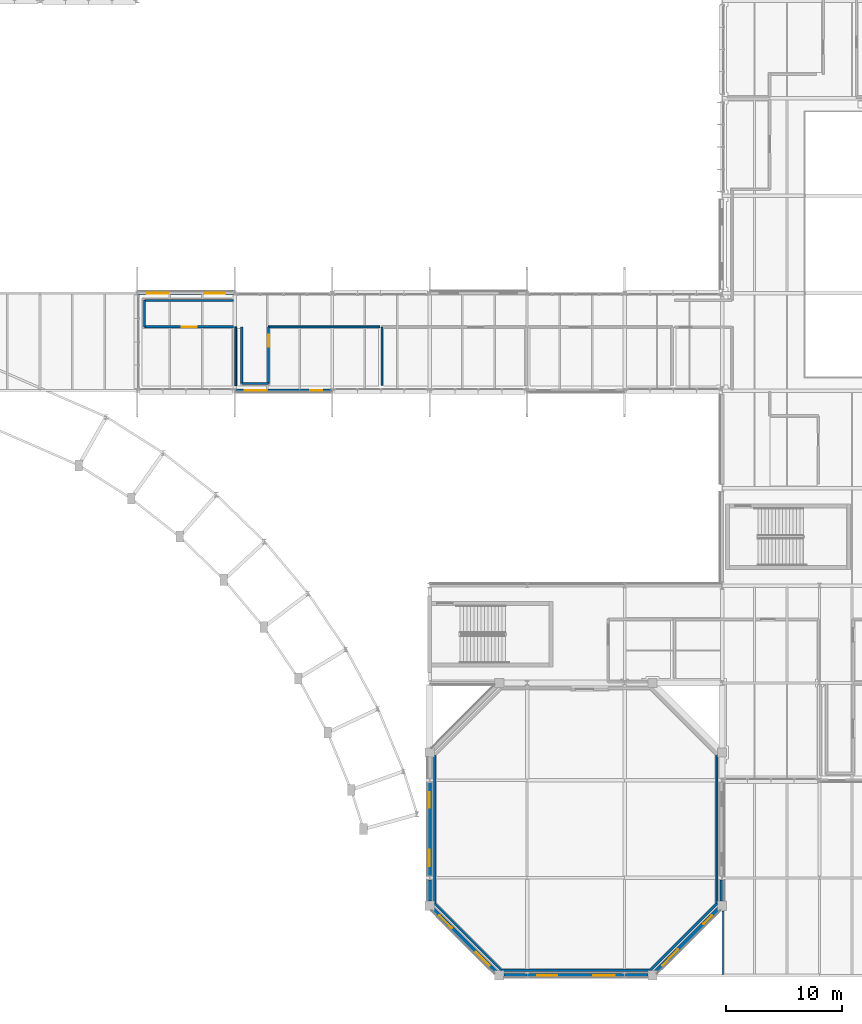
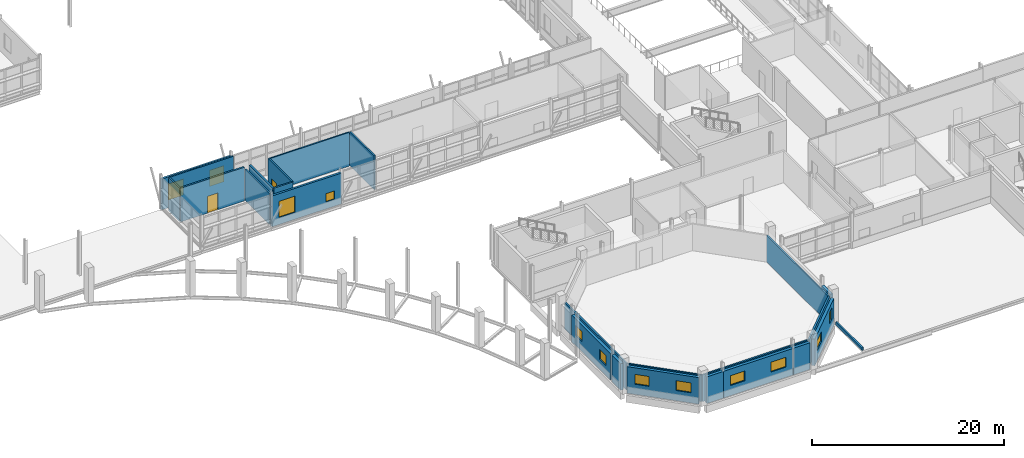
# One storey, part 93 of 129: 25 walls, 12 windows, 2 doors, 14 openings.
"""IFC4 building model written with IfcOpenShell, lengths in metres."""

import ifcopenshell
import ifcopenshell.guid

model = None  # the IFC model being written
_history = None  # IfcOwnerHistory: only IFC2X3 demands one
_inside = {}  # id of a spatial element -> (the spatial element, [elements in it])
_under = {}  # id of a project, library or spatial element -> (it, [spatial elements below it])
_declared = {}  # id of a project -> (the project, [libraries it declares])
_typed = {}  # id of a type object -> (the type object, [elements of that type])
_made_of = {}  # id of a material, layer set ... -> (it, [elements and type objects made of it])


def new_model(schema):
    """Start an empty IFC model of exactly this schema.

    Asked for "IFC4X3", IfcOpenShell would pick the latest addendum, in which some entities
    have other attributes; the version numbers below select the first issue.
    IFC2X3 requires an IfcOwnerHistory on every rooted entity: one is made here for all.
    """
    global model, _history
    if schema == "IFC4X3":
        model = ifcopenshell.file(schema_version=(4, 3, 0, 0))
    else:
        model = ifcopenshell.file(schema=schema)
    _inside.clear()
    _under.clear()
    _declared.clear()
    _typed.clear()
    _made_of.clear()
    _history = None
    if model.schema == "IFC2X3":
        org = make("IfcOrganization", Name="unknown")
        user = make(
            "IfcPersonAndOrganization",
            ThePerson=make("IfcPerson", FamilyName="unknown"),
            TheOrganization=org,
        )
        app = make(
            "IfcApplication",
            ApplicationDeveloper=org,
            Version="unknown",
            ApplicationFullName="unknown",
            ApplicationIdentifier="unknown",
        )
        _history = make(
            "IfcOwnerHistory",
            OwningUser=user,
            OwningApplication=app,
            ChangeAction="ADDED",
            CreationDate=0,
        )
    return model


def make(cls, **values):
    """One entity of the class cls with the attributes given. An attribute that is None is left unset."""
    return model.create_entity(
        cls, **{name: value for name, value in values.items() if value is not None}
    )


def rooted(cls, **values):
    """An entity with a GlobalId (a new one), such as an element, a storey or a relation."""
    return make(cls, GlobalId=ifcopenshell.guid.new(), OwnerHistory=_history, **values)


def si_unit(unit_type, name, prefix=None):
    """IfcSIUnit, for example si_unit("LENGTHUNIT", "METRE", prefix="MILLI")."""
    return make("IfcSIUnit", UnitType=unit_type, Prefix=prefix, Name=name)


def assignment(units):
    """IfcUnitAssignment: the units of a project."""
    return None if units is None else make("IfcUnitAssignment", Units=units)


def point(xyz):
    """IfcCartesianPoint."""
    return None if xyz is None else make("IfcCartesianPoint", Coordinates=xyz)


def direction(xyz):
    """IfcDirection."""
    return None if xyz is None else make("IfcDirection", DirectionRatios=xyz)


def frame(location, z_axis=None, x_axis=None):
    """IfcAxis2Placement3D, a coordinate frame: its origin and axes. An axis left out is left unset."""
    return make(
        "IfcAxis2Placement3D",
        Location=point(location),
        Axis=direction(z_axis),
        RefDirection=direction(x_axis),
    )


def frame_2d(location, x_axis=None):
    """IfcAxis2Placement2D, a coordinate frame in the plane: its origin and x axis."""
    return make(
        "IfcAxis2Placement2D", Location=point(location), RefDirection=direction(x_axis)
    )


def origin():
    """The frame at (0, 0, 0) with its axes left unset."""
    return frame((0.0, 0.0, 0.0))


def place(relative_to, where):
    """IfcLocalPlacement: puts the frame where relative to a parent placement (None: the world)."""
    return make(
        "IfcLocalPlacement", PlacementRelTo=relative_to, RelativePlacement=where
    )


def context(
    kind, dimensions, precision=None, world=None, true_north=None, identifier=None
):
    """IfcGeometricRepresentationContext, for example the 3D "Model" context."""
    return make(
        "IfcGeometricRepresentationContext",
        ContextIdentifier=identifier,
        ContextType=kind,
        CoordinateSpaceDimension=dimensions,
        Precision=precision,
        WorldCoordinateSystem=world,
        TrueNorth=true_north,
    )


def subcontext(parent, identifier, kind, view, scale=None):
    """IfcGeometricRepresentationSubContext, for example "Body" below "Model"."""
    return make(
        "IfcGeometricRepresentationSubContext",
        ContextIdentifier=identifier,
        ContextType=kind,
        ParentContext=parent,
        TargetScale=scale,
        TargetView=view,
    )


def project(units=None, contexts=None):
    """IfcProject with its units and contexts."""
    return rooted(
        "IfcProject",
        Name="project",
        RepresentationContexts=contexts,
        UnitsInContext=assignment(units),
    )


def spatial(cls, under=None, at=None, **own):
    """A site, building, storey or space (cls), placed at a placement, below another one or the project."""
    s = rooted(cls, ObjectPlacement=at, **own)
    if under is not None:
        _under.setdefault(under.id(), (under, []))[1].append(s)
    return s


def profile(cls, at=None, kind="AREA", **sizes):
    """A parametric profile (cls). Its sizes go by their IFC names, for example OverallWidth=200.0."""
    return make(cls, ProfileType=kind, Position=at, **sizes)


def rectangle(**sizes):
    """IfcRectangleProfileDef."""
    return profile("IfcRectangleProfileDef", **sizes)


def extrude(swept, where, along, depth):
    """IfcExtrudedAreaSolid: the profile swept, set in the frame where, extruded along a direction by depth."""
    return make(
        "IfcExtrudedAreaSolid",
        SweptArea=swept,
        Position=where,
        ExtrudedDirection=direction(along),
        Depth=depth,
    )


def shape(context_of_items, identifier, shape_type, items):
    """IfcShapeRepresentation: the items that make up one representation, for example the "Body"."""
    return make(
        "IfcShapeRepresentation",
        ContextOfItems=context_of_items,
        RepresentationIdentifier=identifier,
        RepresentationType=shape_type,
        Items=items,
    )


def material(Name=None, Category=None):
    """IfcMaterial."""
    return make("IfcMaterial", Name=Name, Category=Category)


def layer(
    of_material, thickness, ventilated=None, Name=None, Category=None, Priority=None
):
    """IfcMaterialLayer: one layer of a wall or slab, of a material (None: an air gap)."""
    return make(
        "IfcMaterialLayer",
        Material=of_material,
        LayerThickness=thickness,
        IsVentilated=ventilated,
        Name=Name,
        Category=Category,
        Priority=Priority,
    )


def layer_set(layers, Name=None):
    """IfcMaterialLayerSet."""
    return make("IfcMaterialLayerSet", MaterialLayers=layers, LayerSetName=Name)


def made_of(thing, what):
    """Note that an element or type object is made of a material, layer set ...; save() writes the relation."""
    if what is not None:
        _made_of.setdefault(what.id(), (what, []))[1].append(thing)
    return thing


def type_object(cls, material=None, **own):
    """A type object (cls), such as IfcWallType, which elements share."""
    return made_of(rooted(cls, **own), material)


def element(
    cls,
    number,
    at=None,
    inside=None,
    cuts=None,
    type_object=None,
    material=None,
    context=None,
    identifier="Body",
    shape_type=None,
    held_by="IfcProductDefinitionShape",
    body=None,
    shapes=None,
    **own,
):
    """One element of the class cls, such as IfcWall. Its Tag is "e" and its number.

    at: its placement. inside: the storey or other place that contains it. cuts: it is an
    opening in that element (IfcRelVoidsElement). A single representation is given by context,
    identifier, shape_type and body (its items); several are given by shapes. held_by: the class
    of the entity that holds the representations. save() writes the other relations.
    """
    e = rooted(cls, Tag="e%d" % number, ObjectPlacement=at, **own)
    if body is not None:
        shapes = [shape(context, identifier, shape_type, body)]
    if shapes is not None:
        e.Representation = make(held_by, Representations=shapes)
    if inside is not None:
        _inside.setdefault(inside.id(), (inside, []))[1].append(e)
    if cuts is not None:
        rooted(
            "IfcRelVoidsElement", RelatingBuildingElement=cuts, RelatedOpeningElement=e
        )
    if type_object is not None:
        _typed.setdefault(type_object.id(), (type_object, []))[1].append(e)
    return made_of(e, material)


def fill(opening, filler):
    """IfcRelFillsElement: the door or window that sits in an opening."""
    return rooted(
        "IfcRelFillsElement",
        RelatingOpeningElement=opening,
        RelatedBuildingElement=filler,
    )


def aggregate(whole, parts):
    """IfcRelAggregates: a whole, such as a stair, and the parts it consists of."""
    return rooted("IfcRelAggregates", RelatingObject=whole, RelatedObjects=parts)


def save(model, path):
    """Write the relations noted so far, then the file.

    IfcRelAggregates (storeys below a building ...), IfcRelContainedInSpatialStructure (elements
    in a storey), IfcRelDefinesByType, IfcRelAssociatesMaterial and IfcRelDeclares: one each for
    every whole, place, type object, material and project.
    """
    for whole, parts in _under.values():
        aggregate(whole, parts)
    for where, things in _inside.values():
        rooted(
            "IfcRelContainedInSpatialStructure",
            RelatedElements=things,
            RelatingStructure=where,
        )
    for kind, things in _typed.values():
        rooted("IfcRelDefinesByType", RelatedObjects=things, RelatingType=kind)
    for what, things in _made_of.values():
        rooted("IfcRelAssociatesMaterial", RelatedObjects=things, RelatingMaterial=what)
    for by, libraries in _declared.values():
        rooted("IfcRelDeclares", RelatingContext=by, RelatedDefinitions=libraries)
    model.write(path)


model = new_model("IFC4")

# Units and contexts
model_context = context("Model", 3, precision=1e-05, world=origin(), true_north=direction((0.0, 1.0)))
body_context = subcontext(model_context, "Body", "Model", "MODEL_VIEW")
ifc_project = project(units=[si_unit("LENGTHUNIT", "METRE"), si_unit("AREAUNIT", "SQUARE_METRE"), si_unit("VOLUMEUNIT", "CUBIC_METRE"), si_unit("PLANEANGLEUNIT", "RADIAN"), si_unit("MASSUNIT", "GRAM", prefix="KILO")], contexts=[model_context])

# Site, building, storey
site_placement = place(None, origin())
site = spatial("IfcSite", under=ifc_project, at=site_placement, CompositionType="ELEMENT")
building_placement = place(site_placement, origin())
building = spatial("IfcBuilding", under=site, at=building_placement, Name="Mersafa Astral City Hall", CompositionType="ELEMENT")
storey_placement = place(building_placement, frame((0.0, 0.0, 5.39990234375)))
storey = spatial("IfcBuildingStorey", under=building, at=storey_placement, Name="L01", CompositionType="ELEMENT", Elevation=5.39990234375)

# Wall, openings, windows
ifc_material_1 = material(Name="Concrete C40/50", Category="concrete")
ifc_layer_1 = layer(ifc_material_1, 0.340087890625, Name="Concrete C40/50")
ifc_layer_set_1 = layer_set([ifc_layer_1], Name="Concrete C40/50 — ENV-WAL-DRUM-340")
wall_type_1 = type_object("IfcWallType", Name="ENV-WAL-DRUM-340", PredefinedType="SHEAR", material=ifc_layer_set_1)
wall_1_placement = place(storey_placement, frame((67.199951171875, 16.6240234375, 0.0), z_axis=(0.0, 0.0, 1.0), x_axis=(0.0, -1.0, 0.0)))
wall_1 = element("IfcWall", 1, at=wall_1_placement, inside=storey, type_object=wall_type_1, Name="L01 Limestone-clad exterior wall 74", PredefinedType="SHEAR", context=body_context, shape_type="SweptSolid", body=[
    extrude(rectangle(XDim=8.05810546875, YDim=0.340087890625, at=frame_2d((4.029052734375, 0.0))), origin(), (0.0, 0.0, 1.0), 3.382080078125),
])
opening_1_placement = place(wall_1_placement, frame((0.85009765625, 0.0, 1.300048828125)))
opening_1 = element("IfcOpeningElement", 2, at=opening_1_placement, cuts=wall_1, Name="Opening W-14", PredefinedType="OPENING", context=body_context, shape_type="SweptSolid", body=[
    extrude(rectangle(XDim=1.320068359375, YDim=1.25, at=frame_2d((0.66015625, 0.625))), frame((0.0, 0.179931640625, 0.0), z_axis=(0.0, -1.0, 0.0), x_axis=(1.0, 0.0, 0.0)), (0.0, 0.0, 1.0), 0.360107421875),
])
opening_2_placement = place(wall_1_placement, frame((5.7880859375, 0.0, 1.300048828125)))
opening_2 = element("IfcOpeningElement", 3, at=opening_2_placement, cuts=wall_1, Name="Opening W-15", PredefinedType="OPENING", context=body_context, shape_type="SweptSolid", body=[
    extrude(rectangle(XDim=1.419921875, YDim=1.25, at=frame_2d((0.7099609375, 0.625))), frame((0.0, 0.179931640625, 0.0), z_axis=(0.0, -1.0, 0.0), x_axis=(1.0, 0.0, 0.0)), (0.0, 0.0, 1.0), 0.360107421875),
])
ifc_material_2 = material(Name="Solar control low-e double glazing in bronze frame", Category="glass")
window_type_1 = type_object("IfcWindowType", Name="ENV-WIN-W-14", PartitioningType="SINGLE_PANEL", PredefinedType="WINDOW", material=ifc_material_2)
window_1_placement = place(opening_1_placement, origin())
window_1 = element("IfcWindow", 4, at=window_1_placement, inside=storey, type_object=window_type_1, Name="L01 Solar punched window 74-L", OverallHeight=1.25, OverallWidth=1.320068359375, PartitioningType="SINGLE_PANEL", PredefinedType="WINDOW", context=body_context, shape_type="SweptSolid", body=[
    extrude(rectangle(XDim=1.320068359375, YDim=1.25, at=frame_2d((0.66015625, 0.625))), frame((0.0, 0.030029296875, 0.0), z_axis=(0.0, -1.0, 0.0), x_axis=(1.0, 0.0, 0.0)), (0.0, 0.0, 1.0), 0.06005859375),
])
fill(opening_1, window_1)
window_type_2 = type_object("IfcWindowType", Name="ENV-WIN-W-15", PartitioningType="SINGLE_PANEL", PredefinedType="WINDOW", material=ifc_material_2)
window_2_placement = place(opening_2_placement, origin())
window_2 = element("IfcWindow", 5, at=window_2_placement, inside=storey, type_object=window_type_2, Name="L01 Solar punched window 74-R", OverallHeight=1.25, OverallWidth=1.419921875, PartitioningType="SINGLE_PANEL", PredefinedType="WINDOW", context=body_context, shape_type="SweptSolid", body=[
    extrude(rectangle(XDim=1.419921875, YDim=1.25, at=frame_2d((0.7099609375, 0.625))), frame((0.0, 0.030029296875, 0.0), z_axis=(0.0, -1.0, 0.0), x_axis=(1.0, 0.0, 0.0)), (0.0, 0.0, 1.0), 0.06005859375),
])
fill(opening_2, window_2)

# Wall
wall_2_placement = place(storey_placement, frame((67.199951171875, 8.23388671875, 0.0), z_axis=(0.0, 0.0, 1.0), x_axis=(0.0, -1.0, 0.0)))
element("IfcWall", 6, at=wall_2_placement, inside=storey, type_object=wall_type_1, Name="L01 Limestone-clad exterior wall 75", PredefinedType="SHEAR", context=body_context, shape_type="SweptSolid", body=[
    extrude(rectangle(XDim=1.841796875, YDim=0.340087890625, at=frame_2d((0.9208984375, 0.0))), origin(), (0.0, 0.0, 1.0), 3.382080078125),
])

# Wall, openings, windows
wall_3_placement = place(storey_placement, frame((67.45458984375, 5.745361328125, 0.0), z_axis=(0.0, 0.0, 1.0), x_axis=(0.707106781187, -0.707106781187, 0.0)))
wall_3 = element("IfcWall", 7, at=wall_3_placement, inside=storey, type_object=wall_type_1, Name="L01 Limestone-clad exterior wall 76", PredefinedType="SHEAR", context=body_context, shape_type="SweptSolid", body=[
    extrude(rectangle(XDim=7.76513671875, YDim=0.340087890625, at=frame_2d((3.882568359375, 0.0))), origin(), (0.0, 0.0, 1.0), 3.382080078125),
])
opening_3_placement = place(wall_3_placement, frame((0.85009765625, 0.0, 1.300048828125)))
opening_3 = element("IfcOpeningElement", 8, at=opening_3_placement, cuts=wall_3, Name="Opening W-16", PredefinedType="OPENING", context=body_context, shape_type="SweptSolid", body=[
    extrude(rectangle(XDim=1.52001953125, YDim=1.25, at=frame_2d((0.760009765625, 0.625))), frame((0.0, 0.179931640625, 0.0), z_axis=(0.0, -1.0, 0.0), x_axis=(1.0, 0.0, 0.0)), (0.0, 0.0, 1.0), 0.360107421875),
])
opening_4_placement = place(wall_3_placement, frame((5.295166015625, 0.0, 1.300048828125)))
opening_4 = element("IfcOpeningElement", 9, at=opening_4_placement, cuts=wall_3, Name="Opening W-17", PredefinedType="OPENING", context=body_context, shape_type="SweptSolid", body=[
    extrude(rectangle(XDim=1.6201171875, YDim=1.25, at=frame_2d((0.81005859375, 0.625))), frame((0.0, 0.179931640625, 0.0), z_axis=(0.0, -1.0, 0.0), x_axis=(1.0, 0.0, 0.0)), (0.0, 0.0, 1.0), 0.360107421875),
])
window_type_3 = type_object("IfcWindowType", Name="ENV-WIN-W-16", PartitioningType="SINGLE_PANEL", PredefinedType="WINDOW", material=ifc_material_2)
window_3_placement = place(opening_3_placement, origin())
window_3 = element("IfcWindow", 10, at=window_3_placement, inside=storey, type_object=window_type_3, Name="L01 Solar punched window 76-L", OverallHeight=1.25, OverallWidth=1.52001953125, PartitioningType="SINGLE_PANEL", PredefinedType="WINDOW", context=body_context, shape_type="SweptSolid", body=[
    extrude(rectangle(XDim=1.52001953125, YDim=1.25, at=frame_2d((0.760009765625, 0.625))), frame((0.0, 0.030029296875, 0.0), z_axis=(0.0, -1.0, 0.0), x_axis=(1.0, 0.0, 0.0)), (0.0, 0.0, 1.0), 0.06005859375),
])
fill(opening_3, window_3)
window_type_4 = type_object("IfcWindowType", Name="ENV-WIN-W-17", PartitioningType="SINGLE_PANEL", PredefinedType="WINDOW", material=ifc_material_2)
window_4_placement = place(opening_4_placement, origin())
window_4 = element("IfcWindow", 11, at=window_4_placement, inside=storey, type_object=window_type_4, Name="L01 Solar punched window 76-R", OverallHeight=1.25, OverallWidth=1.6201171875, PartitioningType="SINGLE_PANEL", PredefinedType="WINDOW", context=body_context, shape_type="SweptSolid", body=[
    extrude(rectangle(XDim=1.6201171875, YDim=1.25, at=frame_2d((0.81005859375, 0.625))), frame((0.0, 0.030029296875, 0.0), z_axis=(0.0, -1.0, 0.0), x_axis=(1.0, 0.0, 0.0)), (0.0, 0.0, 1.0), 0.06005859375),
])
fill(opening_4, window_4)

# Wall
wall_4_placement = place(storey_placement, frame((73.592041015625, 0.0, 0.0), z_axis=(0.0, 0.0, 1.0), x_axis=(1.0, 0.0, 0.0)))
element("IfcWall", 12, at=wall_4_placement, inside=storey, type_object=wall_type_1, Name="L01 Limestone-clad exterior wall 77", PredefinedType="SHEAR", context=body_context, shape_type="SweptSolid", body=[
    extrude(rectangle(XDim=2.0, YDim=0.340087890625, at=frame_2d((1.0, 0.0))), origin(), (0.0, 0.0, 1.0), 3.382080078125),
])

# Wall, openings, windows
wall_5_placement = place(storey_placement, frame((75.60791015625, 0.0, 0.0), z_axis=(0.0, 0.0, 1.0), x_axis=(1.0, 0.0, 0.0)))
wall_5 = element("IfcWall", 13, at=wall_5_placement, inside=storey, type_object=wall_type_1, Name="L01 Limestone-clad exterior wall 78", PredefinedType="SHEAR", context=body_context, shape_type="SweptSolid", body=[
    extrude(rectangle(XDim=8.384033203125, YDim=0.340087890625, at=frame_2d((4.19189453125, 0.0))), origin(), (0.0, 0.0, 1.0), 3.382080078125),
])
opening_5_placement = place(wall_5_placement, frame((0.85009765625, 0.0, 1.300048828125)))
opening_5 = element("IfcOpeningElement", 14, at=opening_5_placement, cuts=wall_5, Name="Opening W-18", PredefinedType="OPENING", context=body_context, shape_type="SweptSolid", body=[
    extrude(rectangle(XDim=1.719970703125, YDim=1.25, at=frame_2d((0.85986328125, 0.625))), frame((0.0, 0.179931640625, 0.0), z_axis=(0.0, -1.0, 0.0), x_axis=(1.0, 0.0, 0.0)), (0.0, 0.0, 1.0), 0.360107421875),
])
opening_6_placement = place(wall_5_placement, frame((5.714111328125, 0.0, 1.300048828125)))
opening_6 = element("IfcOpeningElement", 15, at=opening_6_placement, cuts=wall_5, Name="Opening W-19", PredefinedType="OPENING", context=body_context, shape_type="SweptSolid", body=[
    extrude(rectangle(XDim=1.820068359375, YDim=1.25, at=frame_2d((0.91015625, 0.625))), frame((0.0, 0.179931640625, 0.0), z_axis=(0.0, -1.0, 0.0), x_axis=(1.0, 0.0, 0.0)), (0.0, 0.0, 1.0), 0.360107421875),
])
window_type_5 = type_object("IfcWindowType", Name="ENV-WIN-W-18", PartitioningType="SINGLE_PANEL", PredefinedType="WINDOW", material=ifc_material_2)
window_5_placement = place(opening_5_placement, origin())
window_5 = element("IfcWindow", 16, at=window_5_placement, inside=storey, type_object=window_type_5, Name="L01 Solar punched window 78-L", OverallHeight=1.25, OverallWidth=1.719970703125, PartitioningType="SINGLE_PANEL", PredefinedType="WINDOW", context=body_context, shape_type="SweptSolid", body=[
    extrude(rectangle(XDim=1.719970703125, YDim=1.25, at=frame_2d((0.85986328125, 0.625))), frame((0.0, 0.030029296875, 0.0), z_axis=(0.0, -1.0, 0.0), x_axis=(1.0, 0.0, 0.0)), (0.0, 0.0, 1.0), 0.06005859375),
])
fill(opening_5, window_5)
window_type_6 = type_object("IfcWindowType", Name="ENV-WIN-W-19", PartitioningType="SINGLE_PANEL", PredefinedType="WINDOW", material=ifc_material_2)
window_6_placement = place(opening_6_placement, origin())
window_6 = element("IfcWindow", 17, at=window_6_placement, inside=storey, type_object=window_type_6, Name="L01 Solar punched window 78-R", OverallHeight=1.25, OverallWidth=1.820068359375, PartitioningType="SINGLE_PANEL", PredefinedType="WINDOW", context=body_context, shape_type="SweptSolid", body=[
    extrude(rectangle(XDim=1.820068359375, YDim=1.25, at=frame_2d((0.91015625, 0.625))), frame((0.0, 0.030029296875, 0.0), z_axis=(0.0, -1.0, 0.0), x_axis=(1.0, 0.0, 0.0)), (0.0, 0.0, 1.0), 0.06005859375),
])
fill(opening_6, window_6)

# Wall
wall_6_placement = place(storey_placement, frame((84.008056640625, 0.0, 0.0), z_axis=(0.0, 0.0, 1.0), x_axis=(1.0, 0.0, 0.0)))
element("IfcWall", 18, at=wall_6_placement, inside=storey, type_object=wall_type_1, Name="L01 Limestone-clad exterior wall 79", PredefinedType="SHEAR", context=body_context, shape_type="SweptSolid", body=[
    extrude(rectangle(XDim=2.0, YDim=0.340087890625, at=frame_2d((1.0, 0.0))), origin(), (0.0, 0.0, 1.0), 3.382080078125),
])

# Wall, openings, windows
wall_7_placement = place(storey_placement, frame((86.654541015625, 0.254638671875, 0.0), z_axis=(0.0, 0.0, 1.0), x_axis=(0.707122501133, 0.70709106089, 0.0)))
wall_7 = element("IfcWall", 19, at=wall_7_placement, inside=storey, type_object=wall_type_1, Name="L01 Limestone-clad exterior wall 80", PredefinedType="SHEAR", context=body_context, shape_type="SweptSolid", body=[
    extrude(rectangle(XDim=7.76513671875, YDim=0.340087890625, at=frame_2d((3.882568359375, 0.0))), origin(), (0.0, 0.0, 1.0), 3.382080078125),
])
opening_7_placement = place(wall_7_placement, frame((0.85009765625, 0.0, 1.300048828125)))
opening_7 = element("IfcOpeningElement", 20, at=opening_7_placement, cuts=wall_7, Name="Opening W-20", PredefinedType="OPENING", context=body_context, shape_type="SweptSolid", body=[
    extrude(rectangle(XDim=1.919921875, YDim=1.25, at=frame_2d((0.9599609375, 0.625))), frame((0.0, 0.179931640625, 0.0), z_axis=(0.0, -1.0, 0.0), x_axis=(1.0, 0.0, 0.0)), (0.0, 0.0, 1.0), 0.360107421875),
])
opening_8_placement = place(wall_7_placement, frame((5.895263671875, 0.0, 1.300048828125)))
opening_8 = element("IfcOpeningElement", 21, at=opening_8_placement, cuts=wall_7, Name="Opening W-21", PredefinedType="OPENING", context=body_context, shape_type="SweptSolid", body=[
    extrude(rectangle(XDim=1.02001953125, YDim=1.449951171875, at=frame_2d((0.510009765625, 0.72509765625))), frame((0.0, 0.179931640625, 0.0), z_axis=(0.0, -1.0, 0.0), x_axis=(1.0, 0.0, 0.0)), (0.0, 0.0, 1.0), 0.360107421875),
])
window_type_7 = type_object("IfcWindowType", Name="ENV-WIN-W-20", PartitioningType="SINGLE_PANEL", PredefinedType="WINDOW", material=ifc_material_2)
window_7_placement = place(opening_7_placement, origin())
window_7 = element("IfcWindow", 22, at=window_7_placement, inside=storey, type_object=window_type_7, Name="L01 Solar punched window 80-L", OverallHeight=1.25, OverallWidth=1.919921875, PartitioningType="SINGLE_PANEL", PredefinedType="WINDOW", context=body_context, shape_type="SweptSolid", body=[
    extrude(rectangle(XDim=1.919921875, YDim=1.25, at=frame_2d((0.9599609375, 0.625))), frame((0.0, 0.030029296875, 0.0), z_axis=(0.0, -1.0, 0.0), x_axis=(1.0, 0.0, 0.0)), (0.0, 0.0, 1.0), 0.06005859375),
])
fill(opening_7, window_7)
window_type_8 = type_object("IfcWindowType", Name="ENV-WIN-W-21", PartitioningType="SINGLE_PANEL", PredefinedType="WINDOW", material=ifc_material_2)
window_8_placement = place(opening_8_placement, origin())
window_8 = element("IfcWindow", 23, at=window_8_placement, inside=storey, type_object=window_type_8, Name="L01 Solar punched window 80-R", OverallHeight=1.449951171875, OverallWidth=1.02001953125, PartitioningType="SINGLE_PANEL", PredefinedType="WINDOW", context=body_context, shape_type="SweptSolid", body=[
    extrude(rectangle(XDim=1.02001953125, YDim=1.449951171875, at=frame_2d((0.510009765625, 0.72509765625))), frame((0.0, 0.030029296875, 0.0), z_axis=(0.0, -1.0, 0.0), x_axis=(1.0, 0.0, 0.0)), (0.0, 0.0, 1.0), 0.06005859375),
])
fill(opening_8, window_8)

# Wall
wall_8_placement = place(storey_placement, frame((92.39990234375, 6.39208984375, 0.0), z_axis=(0.0, 0.0, 1.0), x_axis=(0.0, 1.0, 0.0)))
element("IfcWall", 24, at=wall_8_placement, inside=storey, type_object=wall_type_1, Name="L01 Limestone-clad exterior wall 81", PredefinedType="SHEAR", context=body_context, shape_type="SweptSolid", body=[
    extrude(rectangle(XDim=1.83203125, YDim=0.340087890625, at=frame_2d((0.916015625, 0.0))), origin(), (0.0, 0.0, 1.0), 3.382080078125),
])

# Wall, openings, windows
ifc_material_3 = material(Name="Precast concrete C40/50 insulated terracotta spandrel", Category="masonry")
ifc_layer_2 = layer(ifc_material_3, 0.25, Name="Precast concrete C40/50 insulated terracotta spandrel")
ifc_layer_set_2 = layer_set([ifc_layer_2], Name="Precast concrete C40/50 insulated terracotta spandrel — ENV-WAL-EXT-250")
wall_type_2 = type_object("IfcWallType", Name="ENV-WAL-EXT-250", PredefinedType="STANDARD", material=ifc_layer_set_2)
wall_9_placement = place(storey_placement, frame((50.407958984375, 50.39990234375, 0.0), z_axis=(0.0, 0.0, 1.0), x_axis=(1.0, 0.0, 0.0)))
wall_9 = element("IfcWall", 25, at=wall_9_placement, inside=storey, type_object=wall_type_2, Name="L01 Limestone-clad exterior wall 142", PredefinedType="STANDARD", context=body_context, shape_type="SweptSolid", body=[
    extrude(rectangle(XDim=8.384033203125, YDim=0.25, at=frame_2d((4.19189453125, 0.0))), origin(), (0.0, 0.0, 1.0), 3.922119140625),
])
opening_9_placement = place(wall_9_placement, frame((0.85009765625, 0.0, 0.89990234375)))
opening_9 = element("IfcOpeningElement", 26, at=opening_9_placement, cuts=wall_9, Name="Opening W-60", PredefinedType="OPENING", context=body_context, shape_type="SweptSolid", body=[
    extrude(rectangle(XDim=1.919921875, YDim=2.050048828125, at=frame_2d((0.9599609375, 1.02490234375))), frame((0.0, 0.135009765625, 0.0), z_axis=(0.0, -1.0, 0.0), x_axis=(1.0, 0.0, 0.0)), (0.0, 0.0, 1.0), 0.27001953125),
])
opening_10_placement = place(wall_9_placement, frame((6.513916015625, 0.0, 0.89990234375)))
opening_10 = element("IfcOpeningElement", 27, at=opening_10_placement, cuts=wall_9, Name="Opening W-01", PredefinedType="OPENING", context=body_context, shape_type="SweptSolid", body=[
    extrude(rectangle(XDim=1.02001953125, YDim=1.050048828125, at=frame_2d((0.510009765625, 0.52490234375))), frame((0.0, 0.135009765625, 0.0), z_axis=(0.0, -1.0, 0.0), x_axis=(1.0, 0.0, 0.0)), (0.0, 0.0, 1.0), 0.27001953125),
])
window_type_9 = type_object("IfcWindowType", Name="ENV-WIN-W-01", PartitioningType="SINGLE_PANEL", PredefinedType="WINDOW", material=ifc_material_2)
window_9_placement = place(opening_10_placement, origin())
window_9 = element("IfcWindow", 28, at=window_9_placement, inside=storey, type_object=window_type_9, Name="L01 Solar punched window 142-R", OverallHeight=1.050048828125, OverallWidth=1.02001953125, PartitioningType="SINGLE_PANEL", PredefinedType="WINDOW", context=body_context, shape_type="SweptSolid", body=[
    extrude(rectangle(XDim=1.02001953125, YDim=1.050048828125, at=frame_2d((0.510009765625, 0.52490234375))), frame((0.0, 0.030029296875, 0.0), z_axis=(0.0, -1.0, 0.0), x_axis=(1.0, 0.0, 0.0)), (0.0, 0.0, 1.0), 0.06005859375),
])
fill(opening_10, window_9)
window_type_10 = type_object("IfcWindowType", Name="ENV-WIN-W-60", PartitioningType="SINGLE_PANEL", PredefinedType="WINDOW", material=ifc_material_2)
window_10_placement = place(opening_9_placement, origin())
window_10 = element("IfcWindow", 29, at=window_10_placement, inside=storey, type_object=window_type_10, Name="L01 Solar punched window 142-L", OverallHeight=2.050048828125, OverallWidth=1.919921875, PartitioningType="SINGLE_PANEL", PredefinedType="WINDOW", context=body_context, shape_type="SweptSolid", body=[
    extrude(rectangle(XDim=1.919921875, YDim=2.050048828125, at=frame_2d((0.9599609375, 1.02490234375))), frame((0.0, 0.030029296875, 0.0), z_axis=(0.0, -1.0, 0.0), x_axis=(1.0, 0.0, 0.0)), (0.0, 0.0, 1.0), 0.06005859375),
])
fill(opening_9, window_10)

ifc_material_4 = material(Name="Precast concrete C40/50 insulated limestone wall", Category="masonry")
ifc_layer_3 = layer(ifc_material_4, 0.264892578125, Name="Precast concrete C40/50 insulated limestone wall")
ifc_layer_set_3 = layer_set([ifc_layer_3], Name="Precast concrete C40/50 insulated limestone wall — ENV-WAL-EXT-265")
wall_type_3 = type_object("IfcWallType", Name="ENV-WAL-EXT-265", PredefinedType="STANDARD", material=ifc_layer_set_3)
wall_10_placement = place(storey_placement, frame((50.39208984375, 58.800048828125, 0.0), z_axis=(0.0, 0.0, 1.0), x_axis=(-1.0, 0.0, 0.0)))
wall_10 = element("IfcWall", 30, at=wall_10_placement, inside=storey, type_object=wall_type_3, Name="L01 Limestone-clad exterior wall 141", PredefinedType="STANDARD", context=body_context, shape_type="SweptSolid", body=[
    extrude(rectangle(XDim=8.384033203125, YDim=0.264892578125, at=frame_2d((4.19189453125, 0.0))), origin(), (0.0, 0.0, 1.0), 3.922119140625),
])
opening_11_placement = place(wall_10_placement, frame((0.85009765625, 0.0, 0.89990234375)))
opening_11 = element("IfcOpeningElement", 31, at=opening_11_placement, cuts=wall_10, Name="Opening W-58", PredefinedType="OPENING", context=body_context, shape_type="SweptSolid", body=[
    extrude(rectangle(XDim=1.719970703125, YDim=2.050048828125, at=frame_2d((0.85986328125, 1.02490234375))), frame((0.0, 0.142333984375, 0.0), z_axis=(0.0, -1.0, 0.0), x_axis=(1.0, 0.0, 0.0)), (0.0, 0.0, 1.0), 0.284912109375),
])
opening_12_placement = place(wall_10_placement, frame((5.714111328125, 0.0, 0.89990234375)))
opening_12 = element("IfcOpeningElement", 32, at=opening_12_placement, cuts=wall_10, Name="Opening W-59", PredefinedType="OPENING", context=body_context, shape_type="SweptSolid", body=[
    extrude(rectangle(XDim=1.820068359375, YDim=2.050048828125, at=frame_2d((0.91015625, 1.02490234375))), frame((0.0, 0.142333984375, 0.0), z_axis=(0.0, -1.0, 0.0), x_axis=(1.0, 0.0, 0.0)), (0.0, 0.0, 1.0), 0.284912109375),
])
window_type_11 = type_object("IfcWindowType", Name="ENV-WIN-W-58", PartitioningType="SINGLE_PANEL", PredefinedType="WINDOW", material=ifc_material_2)
window_11_placement = place(opening_11_placement, origin())
window_11 = element("IfcWindow", 33, at=window_11_placement, inside=storey, type_object=window_type_11, Name="L01 Solar punched window 141-L", OverallHeight=2.050048828125, OverallWidth=1.719970703125, PartitioningType="SINGLE_PANEL", PredefinedType="WINDOW", context=body_context, shape_type="SweptSolid", body=[
    extrude(rectangle(XDim=1.719970703125, YDim=2.050048828125, at=frame_2d((0.85986328125, 1.02490234375))), frame((0.0, 0.030029296875, 0.0), z_axis=(0.0, -1.0, 0.0), x_axis=(1.0, 0.0, 0.0)), (0.0, 0.0, 1.0), 0.06005859375),
])
fill(opening_11, window_11)
window_type_12 = type_object("IfcWindowType", Name="ENV-WIN-W-59", PartitioningType="SINGLE_PANEL", PredefinedType="WINDOW", material=ifc_material_2)
window_12_placement = place(opening_12_placement, origin())
window_12 = element("IfcWindow", 34, at=window_12_placement, inside=storey, type_object=window_type_12, Name="L01 Solar punched window 141-R", OverallHeight=2.050048828125, OverallWidth=1.820068359375, PartitioningType="SINGLE_PANEL", PredefinedType="WINDOW", context=body_context, shape_type="SweptSolid", body=[
    extrude(rectangle(XDim=1.820068359375, YDim=2.050048828125, at=frame_2d((0.91015625, 1.02490234375))), frame((0.0, 0.030029296875, 0.0), z_axis=(0.0, -1.0, 0.0), x_axis=(1.0, 0.0, 0.0)), (0.0, 0.0, 1.0), 0.06005859375),
])
fill(opening_12, window_12)

# Walls
ifc_material_5 = material(Name="Precast concrete C40/50 parapet", Category="concrete")
ifc_layer_4 = layer(ifc_material_5, 0.199951171875, Name="Precast concrete C40/50 parapet")
ifc_layer_set_4 = layer_set([ifc_layer_4], Name="Precast concrete C40/50 parapet — ENV-WAL-PAR-200")
wall_type_4 = type_object("IfcWallType", Name="ENV-WAL-PAR-200", PredefinedType="PARAPET", material=ifc_layer_set_4)
wall_11_placement = place(storey_placement, frame((92.489990234375, 5.547607421875, 0.0), z_axis=(0.0, 0.0, 1.0), x_axis=(0.0, -1.0, 0.0)))
element("IfcWall", 35, at=wall_11_placement, inside=storey, type_object=wall_type_4, Name="L01 Flat wing roof perimeter parapet kerb 1", PredefinedType="PARAPET", context=body_context, shape_type="SweptSolid", body=[
    extrude(rectangle(XDim=5.467529296875, YDim=0.199951171875, at=frame_2d((2.73388671875, 0.0))), origin(), (0.0, 0.0, 1.0), 0.35009765625),
])
ifc_material_6 = material(Name="Fire-rated gypsum stud partition", Category="gypsum")
ifc_layer_5 = layer(ifc_material_6, 0.1650390625, Name="Fire-rated gypsum stud partition")
ifc_layer_set_5 = layer_set([ifc_layer_5], Name="Fire-rated gypsum stud partition — INT-WAL-PART-EI60-165")
wall_type_5 = type_object("IfcWallType", Name="INT-WAL-PART-EI60-165", PredefinedType="STANDARD", material=ifc_layer_set_5)
wall_12_placement = place(storey_placement, frame((91.949951171875, 19.013671875, -0.00390625), z_axis=(0.0, 0.0, 1.0), x_axis=(0.0, -1.0, 0.0)))
element("IfcWall", 36, at=wall_12_placement, inside=storey, type_object=wall_type_5, Name="L01 Interior partition wall 275", PredefinedType="STANDARD", context=body_context, shape_type="SweptSolid", body=[
    extrude(rectangle(XDim=12.827392578125, YDim=0.1650390625, at=frame_2d((6.41357421875, 0.0))), origin(), (0.0, 0.0, 1.0), 3.385986328125),
])
wall_13_placement = place(storey_placement, frame((50.489990234375, 50.820068359375, -0.00390625), z_axis=(0.0, 0.0, 1.0), x_axis=(0.0, 1.0, 0.0)))
element("IfcWall", 37, at=wall_13_placement, inside=storey, type_object=wall_type_5, Name="L01 Interior partition wall 355", PredefinedType="STANDARD", context=body_context, shape_type="SweptSolid", body=[
    extrude(rectangle(XDim=5.079833984375, YDim=0.1650390625, at=frame_2d((2.5400390625, 0.0))), origin(), (0.0, 0.0, 1.0), 3.926025390625),
])
wall_14_placement = place(storey_placement, frame((53.300048828125, 55.89990234375, -0.00390625), z_axis=(0.0, 0.0, 1.0), x_axis=(1.0, 0.0, 0.0)))
element("IfcWall", 38, at=wall_14_placement, inside=storey, type_object=wall_type_5, Name="L01 Interior partition wall 359", PredefinedType="STANDARD", context=body_context, shape_type="SweptSolid", body=[
    extrude(rectangle(XDim=9.60986328125, YDim=0.1650390625, at=frame_2d((4.804931640625, 0.0))), origin(), (0.0, 0.0, 1.0), 4.2939453125),
])
wall_15_placement = place(storey_placement, frame((42.6201171875, 58.179931640625, -0.00390625), z_axis=(0.0, 0.0, 1.0), x_axis=(0.0, -1.0, 0.0)))
element("IfcWall", 39, at=wall_15_placement, inside=storey, type_object=wall_type_5, Name="L01 Interior partition wall 371", PredefinedType="STANDARD", context=body_context, shape_type="SweptSolid", body=[
    extrude(rectangle(XDim=2.280029296875, YDim=0.1650390625, at=frame_2d((1.14013671875, 0.0))), origin(), (0.0, 0.0, 1.0), 4.2939453125),
])
ifc_material_7 = material(Name="Acoustic twin-stud gypsum partition", Category="gypsum")
ifc_layer_6 = layer(ifc_material_7, 0.179931640625, Name="Acoustic twin-stud gypsum partition")
ifc_layer_set_6 = layer_set([ifc_layer_6], Name="Acoustic twin-stud gypsum partition — INT-WAL-PART-EI60-180")
wall_type_6 = type_object("IfcWallType", Name="INT-WAL-PART-EI60-180", PredefinedType="STANDARD", material=ifc_layer_set_6)
wall_16_placement = place(storey_placement, frame((73.386474609375, 0.449951171875, -0.00390625), z_axis=(0.0, 0.0, 1.0), x_axis=(-0.707121828093, 0.70709173396, 0.0)))
element("IfcWall", 40, at=wall_16_placement, inside=storey, type_object=wall_type_6, Name="L01 Interior partition wall 278", PredefinedType="STANDARD", context=body_context, shape_type="SweptSolid", body=[
    extrude(rectangle(XDim=8.112548828125, YDim=0.179931640625, at=frame_2d((4.05615234375, 0.0))), origin(), (0.0, 0.0, 1.0), 3.385986328125),
])
wall_17_placement = place(storey_placement, frame((63.090087890625, 50.820068359375, -0.00390625), z_axis=(0.0, 0.0, 1.0), x_axis=(0.0, 1.0, 0.0)))
element("IfcWall", 41, at=wall_17_placement, inside=storey, type_object=wall_type_6, Name="L01 Interior partition wall 342", PredefinedType="STANDARD", context=body_context, shape_type="SweptSolid", body=[
    extrude(rectangle(XDim=5.079833984375, YDim=0.179931640625, at=frame_2d((2.5400390625, 0.0))), origin(), (0.0, 0.0, 1.0), 4.2939453125),
])

# Wall, opening, door
wall_18_placement = place(storey_placement, frame((53.300048828125, 51.02001953125, -0.00390625), z_axis=(0.0, 0.0, 1.0), x_axis=(0.0, 1.0, 0.0)))
wall_18 = element("IfcWall", 42, at=wall_18_placement, inside=storey, type_object=wall_type_6, Name="L01 Interior partition wall 358", PredefinedType="STANDARD", context=body_context, shape_type="SweptSolid", body=[
    extrude(rectangle(XDim=4.8798828125, YDim=0.179931640625, at=frame_2d((2.43994140625, 0.0))), origin(), (0.0, 0.0, 1.0), 4.2939453125),
])
opening_13_placement = place(wall_18_placement, frame((3.139892578125, 0.0, 0.0)))
opening_13 = element("IfcOpeningElement", 43, at=opening_13_placement, cuts=wall_18, Name="Opening D-12", PredefinedType="OPENING", context=body_context, shape_type="SweptSolid", body=[
    extrude(rectangle(XDim=1.0400390625, YDim=2.139892578125, at=frame_2d((0.52001953125, 1.06982421875))), frame((0.0, 0.099853515625, 0.0), z_axis=(0.0, -1.0, 0.0), x_axis=(1.0, 0.0, 0.0)), (0.0, 0.0, 1.0), 0.199951171875),
])
ifc_material_8 = material(Name="Cedar veneered acoustic fire-rated timber door", Category="wood")
door_type_1 = type_object("IfcDoorType", Name="INT-DR-RM-D-12", OperationType="NOTDEFINED", PredefinedType="DOOR", material=ifc_material_8)
door_1_placement = place(opening_13_placement, origin())
door_1 = element("IfcDoor", 44, at=door_1_placement, inside=storey, type_object=door_type_1, Name="L01 Civic Ombudsman Consultation Suite L01-23 Entrance Door", OperationType="SINGLE_SWING_RIGHT", OverallHeight=2.139892578125, OverallWidth=1.0400390625, PredefinedType="DOOR", context=body_context, shape_type="SweptSolid", body=[
    extrude(rectangle(XDim=1.0400390625, YDim=2.139892578125, at=frame_2d((0.52001953125, 1.06982421875))), frame((0.0, 0.02490234375, 0.0), z_axis=(0.0, -1.0, 0.0), x_axis=(1.0, 0.0, 0.0)), (0.0, 0.0, 1.0), 0.050048828125),
])
fill(opening_13, door_1)

# Walls
wall_19_placement = place(storey_placement, frame((50.31005859375, 58.179931640625, -0.00390625), z_axis=(0.0, 0.0, 1.0), x_axis=(-1.0, 0.0, 0.0)))
element("IfcWall", 45, at=wall_19_placement, inside=storey, type_object=wall_type_6, Name="L01 Interior partition wall 370", PredefinedType="STANDARD", context=body_context, shape_type="SweptSolid", body=[
    extrude(rectangle(XDim=7.68994140625, YDim=0.179931640625, at=frame_2d((3.844970703125, 0.0))), origin(), (0.0, 0.0, 1.0), 4.2939453125),
])
ifc_layer_7 = layer(ifc_material_7, 0.195068359375, Name="Acoustic twin-stud gypsum partition")
ifc_layer_set_7 = layer_set([ifc_layer_7], Name="Acoustic twin-stud gypsum partition — INT-WAL-PART-EI60-195")
wall_type_7 = type_object("IfcWallType", Name="INT-WAL-PART-EI60-195", PredefinedType="STANDARD", material=ifc_layer_set_7)
wall_20_placement = place(storey_placement, frame((67.64990234375, 6.186279296875, -0.00390625), z_axis=(0.0, 0.0, 1.0), x_axis=(0.0, 1.0, 0.0)))
element("IfcWall", 46, at=wall_20_placement, inside=storey, type_object=wall_type_7, Name="L01 Interior partition wall 269", PredefinedType="STANDARD", context=body_context, shape_type="SweptSolid", body=[
    extrude(rectangle(XDim=12.827392578125, YDim=0.195068359375, at=frame_2d((6.41357421875, 0.0))), origin(), (0.0, 0.0, 1.0), 3.385986328125),
])
wall_21_placement = place(storey_placement, frame((86.213623046875, 0.449951171875, -0.00390625), z_axis=(0.0, 0.0, 1.0), x_axis=(-1.0, 0.0, 0.0)))
element("IfcWall", 47, at=wall_21_placement, inside=storey, type_object=wall_type_7, Name="L01 Interior partition wall 277", PredefinedType="STANDARD", context=body_context, shape_type="SweptSolid", body=[
    extrude(rectangle(XDim=12.8271484375, YDim=0.195068359375, at=frame_2d((6.41357421875, 0.0))), origin(), (0.0, 0.0, 1.0), 3.385986328125),
])
wall_22_placement = place(storey_placement, frame((51.02001953125, 51.02001953125, -0.00390625), z_axis=(0.0, 0.0, 1.0), x_axis=(1.0, 0.0, 0.0)))
element("IfcWall", 48, at=wall_22_placement, inside=storey, type_object=wall_type_7, Name="L01 Interior partition wall 357", PredefinedType="STANDARD", context=body_context, shape_type="SweptSolid", body=[
    extrude(rectangle(XDim=2.280029296875, YDim=0.195068359375, at=frame_2d((1.14013671875, 0.0))), origin(), (0.0, 0.0, 1.0), 4.2939453125),
])
ifc_material_9 = material(Name="Autoclaved aerated concrete blockwork plastered", Category="masonry")
ifc_layer_8 = layer(ifc_material_9, 0.2099609375, Name="Autoclaved aerated concrete blockwork plastered")
ifc_layer_set_8 = layer_set([ifc_layer_8], Name="Autoclaved aerated concrete blockwork plastered — INT-WAL-PART-EI60-210")
wall_type_8 = type_object("IfcWallType", Name="INT-WAL-PART-EI60-210", PredefinedType="STANDARD", material=ifc_layer_set_8)
wall_23_placement = place(storey_placement, frame((91.949951171875, 6.186279296875, -0.00390625), z_axis=(0.0, 0.0, 1.0), x_axis=(-0.707106781187, -0.707106781187, 0.0)))
element("IfcWall", 49, at=wall_23_placement, inside=storey, type_object=wall_type_8, Name="L01 Interior partition wall 276", PredefinedType="STANDARD", context=body_context, shape_type="SweptSolid", body=[
    extrude(rectangle(XDim=8.1123046875, YDim=0.2099609375, at=frame_2d((4.05615234375, 0.0))), origin(), (0.0, 0.0, 1.0), 3.385986328125),
])
wall_24_placement = place(storey_placement, frame((51.02001953125, 55.89990234375, -0.00390625), z_axis=(0.0, 0.0, 1.0), x_axis=(0.0, -1.0, 0.0)))
element("IfcWall", 50, at=wall_24_placement, inside=storey, type_object=wall_type_8, Name="L01 Interior partition wall 356", PredefinedType="STANDARD", context=body_context, shape_type="SweptSolid", body=[
    extrude(rectangle(XDim=4.8798828125, YDim=0.2099609375, at=frame_2d((2.43994140625, 0.0))), origin(), (0.0, 0.0, 1.0), 4.2939453125),
])

# Wall, opening, door
wall_25_placement = place(storey_placement, frame((42.6201171875, 55.89990234375, -0.00390625), z_axis=(0.0, 0.0, 1.0), x_axis=(1.0, 0.0, 0.0)))
wall_25 = element("IfcWall", 51, at=wall_25_placement, inside=storey, type_object=wall_type_8, Name="L01 Interior partition wall 372", PredefinedType="STANDARD", context=body_context, shape_type="SweptSolid", body=[
    extrude(rectangle(XDim=7.68994140625, YDim=0.2099609375, at=frame_2d((3.844970703125, 0.0))), origin(), (0.0, 0.0, 1.0), 4.2939453125),
])
opening_14_placement = place(wall_25_placement, frame((3.205078125, 0.0, 0.0)))
opening_14 = element("IfcOpeningElement", 52, at=opening_14_placement, cuts=wall_25, Name="Opening D-15", PredefinedType="OPENING", context=body_context, shape_type="SweptSolid", body=[
    extrude(rectangle(XDim=1.280029296875, YDim=2.139892578125, at=frame_2d((0.64013671875, 1.06982421875))), frame((0.0, 0.114990234375, 0.0), z_axis=(0.0, -1.0, 0.0), x_axis=(1.0, 0.0, 0.0)), (0.0, 0.0, 1.0), 0.22998046875),
])
door_type_2 = type_object("IfcDoorType", Name="INT-DR-RM-D-15", OperationType="NOTDEFINED", PredefinedType="DOOR", material=ifc_material_8)
door_2_placement = place(opening_14_placement, origin())
door_2 = element("IfcDoor", 53, at=door_2_placement, inside=storey, type_object=door_type_2, Name="L01 Legislative Drafting Office L01-26 Entrance Door", OperationType="SINGLE_SWING_LEFT", OverallHeight=2.139892578125, OverallWidth=1.280029296875, PredefinedType="DOOR", context=body_context, shape_type="SweptSolid", body=[
    extrude(rectangle(XDim=1.280029296875, YDim=2.139892578125, at=frame_2d((0.64013671875, 1.06982421875))), frame((0.0, 0.02490234375, 0.0), z_axis=(0.0, -1.0, 0.0), x_axis=(1.0, 0.0, 0.0)), (0.0, 0.0, 1.0), 0.050048828125),
])
fill(opening_14, door_2)

save(model, "model.ifc")
